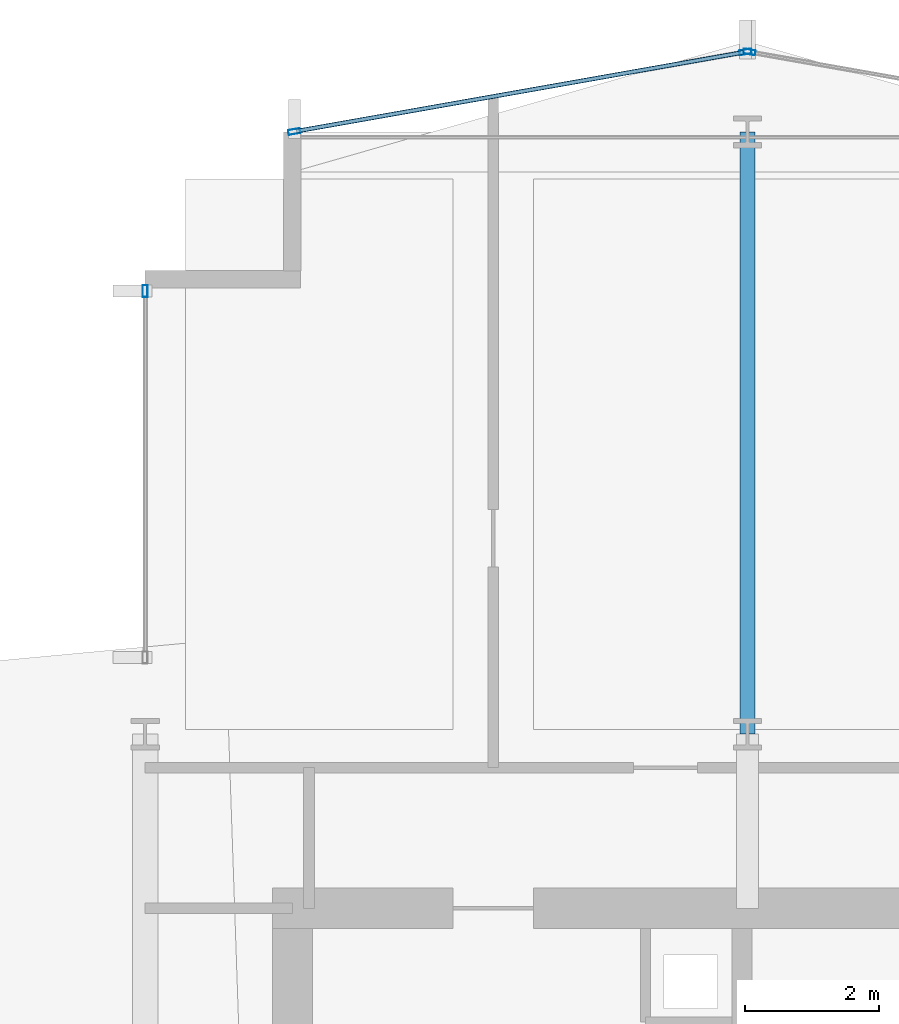
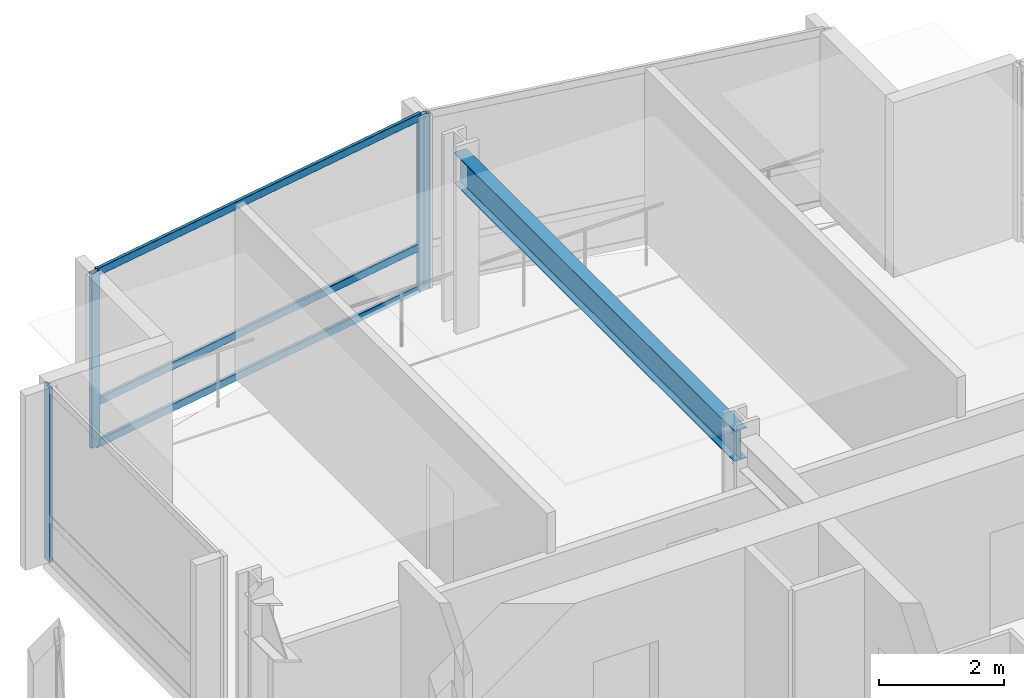
# One storey, part 23 of 34: 7 members, 1 beam, 3 elements without a shape of their own.
"""IFC4 building model written with IfcOpenShell, lengths in metres."""

from ifc_helpers import new_model, si_unit, direction, frame, origin, origin_2d, place, context, subcontext, project, spatial, hollow_rectangle, i_section, extrude, material, layer, layer_set, material_profile, profile_set, type_object, element, aggregate, save


model = new_model("IFC4")

# Units and contexts
model_context = context("Model", 3, precision=1e-05, world=origin(), true_north=direction((0.0, 1.0)))
body_context = subcontext(model_context, "Body", "Model", "MODEL_VIEW")
ifc_project = project(units=[si_unit("LENGTHUNIT", "METRE"), si_unit("AREAUNIT", "SQUARE_METRE"), si_unit("VOLUMEUNIT", "CUBIC_METRE"), si_unit("PLANEANGLEUNIT", "RADIAN"), si_unit("MASSUNIT", "GRAM", prefix="KILO")], contexts=[model_context])

# Site, building, storey
site_placement = place(None, origin())
site = spatial("IfcSite", under=ifc_project, at=site_placement, CompositionType="ELEMENT")
building_placement = place(site_placement, origin())
building = spatial("IfcBuilding", under=site, at=building_placement, Name="Solvaryn Broadcast Tower", CompositionType="ELEMENT")
storey_placement = place(building_placement, frame((0.0, 0.0, 76.699951171875)))
storey = spatial("IfcBuildingStorey", under=building, at=storey_placement, Name="L18", CompositionType="ELEMENT", Elevation=76.699951171875)

# Beam
ifc_material_1 = material(Name="Steel ASTM A992 Grade 50", Category="steel")
ifc_material_profile_1 = material_profile(ifc_material_1, i_section(OverallWidth=0.22802734375, OverallDepth=0.60791015625, WebThickness=0.01123046875, FlangeThickness=0.017333984375, FilletRadius=0.014892578125, at=origin_2d()))
ifc_profile_set_1 = profile_set([ifc_material_profile_1], Name="Steel ASTM A992 Grade 50")
beam_type = type_object("IfcBeamType", Name="BM-B2-W24X76", PredefinedType="BEAM", material=ifc_profile_set_1)
beam_placement = place(storey_placement, frame((18.0, 45.0, 3.115966796875), z_axis=(0.0, 1.0, 0.0), x_axis=(-1.0, 0.0, 0.0)))
element("IfcBeam", 1, at=beam_placement, inside=storey, type_object=beam_type, Name="L18 Primary Beam Y (45-54 @ X=18)", PredefinedType="BEAM", context=body_context, shape_type="SweptSolid", body=[
    extrude(i_section(OverallWidth=0.22802734375, OverallDepth=0.60791015625, WebThickness=0.01123046875, FlangeThickness=0.017333984375, FilletRadius=0.014892578125, at=origin_2d()), origin(), (0.0, 0.0, 1.0), 9.0),
])

# Curtain wall, member
ifc_material_2 = material(Name="Aluminium and Terracotta Unitised Curtain Wall", Category="masonry")
ifc_layer = layer(ifc_material_2, 0.199951171875)
ifc_layer_set = layer_set([ifc_layer], Name="CW-SYS2-LOWMID")
curtain_wall_type = type_object("IfcCurtainWallType", Name="CW-SYS2-LOWMID", PredefinedType="NOTDEFINED", material=ifc_layer_set)
curtain_wall_1_placement = place(storey_placement, origin())
curtain_wall_1 = element("IfcCurtainWall", 2, at=curtain_wall_1_placement, inside=storey, type_object=curtain_wall_type, Name="L18 Curtain Wall W2", PredefinedType="NOTDEFINED")
ifc_material_3 = material(Name="Anodised Aluminium 6063-T6", Category="aluminium")
ifc_material_profile_2 = material_profile(ifc_material_3, hollow_rectangle(XDim=0.074951171875, YDim=0.179931640625, WallThickness=0.00390625, InnerFilletRadius=0.00390625, OuterFilletRadius=0.008056640625, at=origin_2d()))
ifc_profile_set_2 = profile_set([ifc_material_profile_2], Name="Anodised Aluminium 6063-T6")
member_type_1 = type_object("IfcMemberType", Name="CW-MUL-180", PredefinedType="MULLION", material=ifc_profile_set_2)
member_1_placement = place(storey_placement, frame((9.0, 51.6201171875, 0.0), z_axis=(0.0, 0.0, 1.0), x_axis=(-1.0, 0.0, 0.0)))
member_1 = element("IfcMember", 3, at=member_1_placement, type_object=member_type_1, Name="CWS2 mullion 2", PredefinedType="MULLION", context=body_context, shape_type="SweptSolid", body=[
    extrude(hollow_rectangle(XDim=0.074951171875, YDim=0.179931640625, WallThickness=0.00390625, InnerFilletRadius=0.00390625, OuterFilletRadius=0.008056640625, at=origin_2d()), origin(), (0.0, 0.0, 1.0), 3.420166015625),
])
aggregate(curtain_wall_1, [member_1])

curtain_wall_2_placement = place(storey_placement, origin())
curtain_wall_2 = element("IfcCurtainWall", 4, at=curtain_wall_2_placement, inside=storey, type_object=curtain_wall_type, Name="L18 Curtain Wall NT1", PredefinedType="NOTDEFINED")
member_2_placement = place(storey_placement, frame((18.029541015625, 55.19482421875, 0.0), z_axis=(0.0, 0.0, 1.0), x_axis=(-0.173785333901, -0.984783558819, 0.0)))
member_2 = element("IfcMember", 5, at=member_2_placement, type_object=member_type_1, Name="CWS2 mullion 2", PredefinedType="MULLION", context=body_context, shape_type="SweptSolid", body=[
    extrude(hollow_rectangle(XDim=0.074951171875, YDim=0.179931640625, WallThickness=0.00390625, InnerFilletRadius=0.00390625, OuterFilletRadius=0.008056640625, at=origin_2d()), origin(), (0.0, 0.0, 1.0), 3.420166015625),
])
aggregate(curtain_wall_2, [member_2])

# Curtain wall, members
curtain_wall_3_placement = place(storey_placement, origin())
curtain_wall_3 = element("IfcCurtainWall", 6, at=curtain_wall_3_placement, inside=storey, type_object=curtain_wall_type, Name="L18 Curtain Wall NT2", PredefinedType="NOTDEFINED")
member_3_placement = place(storey_placement, frame((17.970458984375, 55.19482421875, 0.0), z_axis=(0.0, 0.0, 1.0), x_axis=(0.173785333901, -0.984783558819, 0.0)))
member_3 = element("IfcMember", 7, at=member_3_placement, type_object=member_type_1, Name="CWS2 mullion 1", PredefinedType="MULLION", context=body_context, shape_type="SweptSolid", body=[
    extrude(hollow_rectangle(XDim=0.074951171875, YDim=0.179931640625, WallThickness=0.00390625, InnerFilletRadius=0.00390625, OuterFilletRadius=0.008056640625, at=origin_2d()), origin(), (0.0, 0.0, 1.0), 3.420166015625),
])
member_4_placement = place(storey_placement, frame((11.2294921875, 54.005126953125, 0.0), z_axis=(0.0, 0.0, 1.0), x_axis=(0.173785333901, -0.984783558819, 0.0)))
member_4 = element("IfcMember", 8, at=member_4_placement, type_object=member_type_1, Name="CWS2 mullion 2", PredefinedType="MULLION", context=body_context, shape_type="SweptSolid", body=[
    extrude(hollow_rectangle(XDim=0.074951171875, YDim=0.179931640625, WallThickness=0.00390625, InnerFilletRadius=0.00390625, OuterFilletRadius=0.008056640625, at=origin_2d()), origin(), (0.0, 0.0, 1.0), 3.420166015625),
])
ifc_material_4 = material(Name="Anodised Aluminium 6063-T6", Category="aluminium")
ifc_material_profile_3 = material_profile(ifc_material_4, hollow_rectangle(XDim=0.06494140625, YDim=0.14990234375, WallThickness=0.00390625, InnerFilletRadius=0.00390625, OuterFilletRadius=0.008056640625, at=origin_2d()))
ifc_profile_set_3 = profile_set([ifc_material_profile_3], Name="Anodised Aluminium 6063-T6")
member_type_2 = type_object("IfcMemberType", Name="CW-TRN-150", PredefinedType="USERDEFINED", material=ifc_profile_set_3)
member_5_placement = place(storey_placement, frame((17.94091796875, 55.189453125, 0.030029296875), z_axis=(-0.984788629673, -0.173756596613, 0.0), x_axis=(0.173756596613, -0.984788629673, 0.0)))
member_5 = element("IfcMember", 9, at=member_5_placement, type_object=member_type_2, Name="CWS2 transom 1.1", ObjectType="TRANSOM", PredefinedType="USERDEFINED", context=body_context, shape_type="SweptSolid", body=[
    extrude(hollow_rectangle(XDim=0.06494140625, YDim=0.14990234375, WallThickness=0.00390625, InnerFilletRadius=0.00390625, OuterFilletRadius=0.008056640625, at=origin_2d()), origin(), (0.0, 0.0, 1.0), 6.78515625),
])
member_6_placement = place(storey_placement, frame((17.94091796875, 55.189453125, 0.85009765625), z_axis=(-0.984788629673, -0.173756596613, 0.0), x_axis=(0.173756596613, -0.984788629673, 0.0)))
member_6 = element("IfcMember", 10, at=member_6_placement, type_object=member_type_2, Name="CWS2 transom 1.2", ObjectType="TRANSOM", PredefinedType="USERDEFINED", context=body_context, shape_type="SweptSolid", body=[
    extrude(hollow_rectangle(XDim=0.06494140625, YDim=0.14990234375, WallThickness=0.00390625, InnerFilletRadius=0.00390625, OuterFilletRadius=0.008056640625, at=origin_2d()), origin(), (0.0, 0.0, 1.0), 6.78515625),
])
member_7_placement = place(storey_placement, frame((17.94091796875, 55.189453125, 3.39013671875), z_axis=(-0.984788629673, -0.173756596613, 0.0), x_axis=(0.173756596613, -0.984788629673, 0.0)))
member_7 = element("IfcMember", 11, at=member_7_placement, type_object=member_type_2, Name="CWS2 transom 1.3", ObjectType="TRANSOM", PredefinedType="USERDEFINED", context=body_context, shape_type="SweptSolid", body=[
    extrude(hollow_rectangle(XDim=0.06494140625, YDim=0.14990234375, WallThickness=0.00390625, InnerFilletRadius=0.00390625, OuterFilletRadius=0.008056640625, at=origin_2d()), origin(), (0.0, 0.0, 1.0), 6.78515625),
])
aggregate(curtain_wall_3, [member_3, member_4, member_5, member_6, member_7])

save(model, "model.ifc")
